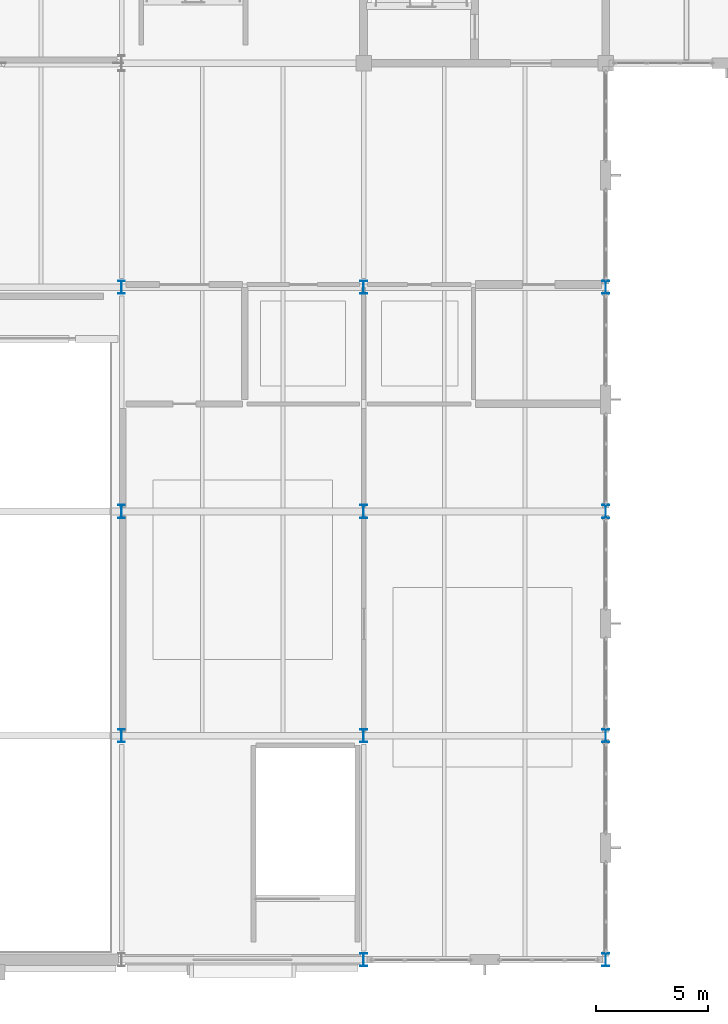
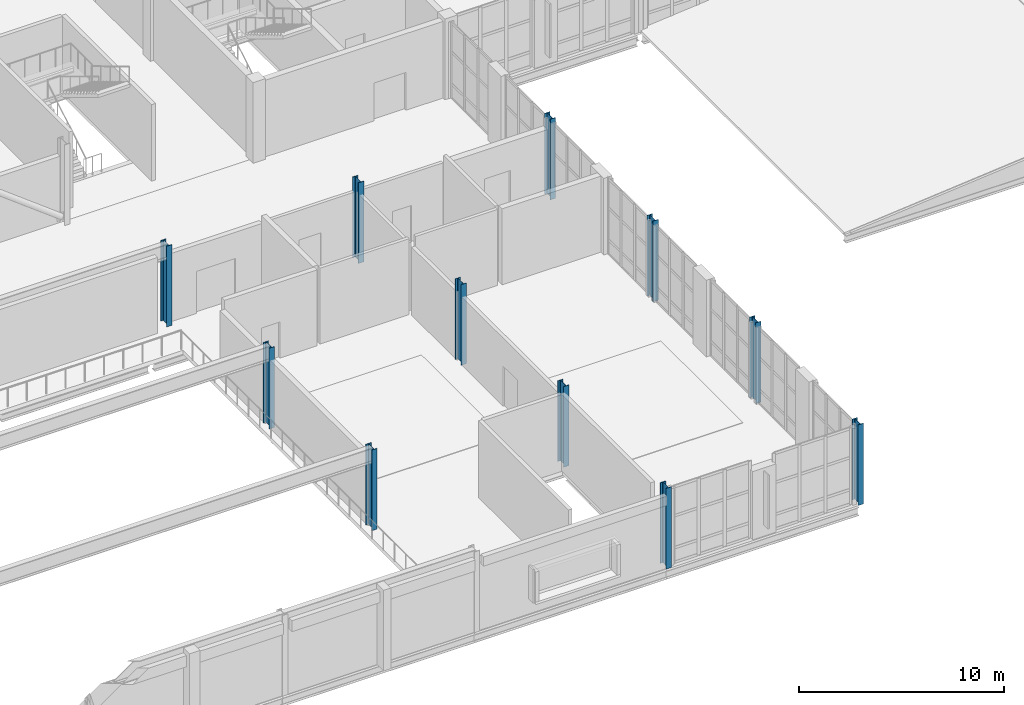
# One storey, part 2 of 92: 11 columns.
"""IFC4 building model written with IfcOpenShell, lengths in metres."""

from ifc_helpers import new_model, si_unit, direction, frame, origin, origin_2d, place, context, subcontext, project, spatial, i_section, extrude, material, material_profile, profile_set, type_object, element, save


model = new_model("IFC4")

# Units and contexts
model_context = context("Model", 3, precision=1e-05, world=origin(), true_north=direction((0.0, 1.0)))
body_context = subcontext(model_context, "Body", "Model", "MODEL_VIEW")
ifc_project = project(units=[si_unit("LENGTHUNIT", "METRE"), si_unit("AREAUNIT", "SQUARE_METRE"), si_unit("VOLUMEUNIT", "CUBIC_METRE"), si_unit("PLANEANGLEUNIT", "RADIAN"), si_unit("MASSUNIT", "GRAM", prefix="KILO")], contexts=[model_context])

# Site, building, storey
site_placement = place(None, origin())
site = spatial("IfcSite", under=ifc_project, at=site_placement, CompositionType="ELEMENT")
building_placement = place(site_placement, origin())
building = spatial("IfcBuilding", under=site, at=building_placement, Name="Tasgan Crest Museum", CompositionType="ELEMENT")
storey_placement = place(building_placement, frame((0.0, 0.0, 4.800048828125)))
storey = spatial("IfcBuildingStorey", under=building, at=storey_placement, Name="L01", CompositionType="ELEMENT", Elevation=4.800048828125)

# Columns
ifc_material = material(Name="Steel S355J2", Category="steel")
ifc_material_profile = material_profile(ifc_material, i_section(OverallWidth=0.300048828125, OverallDepth=0.590087890625, WebThickness=0.012939453125, FlangeThickness=0.02490234375, FilletRadius=0.027099609375, at=origin_2d()), Name="HEA 600")
ifc_profile_set = profile_set([ifc_material_profile], Name="Steel S355J2")
column_type = type_object("IfcColumnType", Name="COL-HEA600", PredefinedType="COLUMN", material=ifc_profile_set)
for number, where, z_axis, x_axis, name in (
    (1, (32.39990234375, 10.0, 0.0), (0.0, 0.0, 1.0), (1.0, 0.0, 0.0), "Column 4/B L01"),
    (2, (32.39990234375, 20.0, 0.0), (0.0, 0.0, 1.0), (1.0, 0.0, 0.0), "Column 4/C L01"),
    (3, (32.39990234375, 30.0, 0.0), (0.0, 0.0, 1.0), (1.0, 0.0, 0.0), "Column 4/D L01"),
    (4, (43.199951171875, 0.0, 0.0), (0.0, 0.0, 1.0), (1.0, 0.0, 0.0), "Column 5/A L01"),
    (5, (43.199951171875, 10.0, 0.0), (0.0, 0.0, 1.0), (1.0, 0.0, 0.0), "Column 5/B L01"),
    (6, (43.199951171875, 20.0, 0.0), (0.0, 0.0, 1.0), (1.0, 0.0, 0.0), "Column 5/C L01"),
    (7, (43.199951171875, 30.0, 0.0), (0.0, 0.0, 1.0), (1.0, 0.0, 0.0), "Column 5/D L01"),
    (8, (54.0, 0.0, 0.0), (0.0, 0.0, 1.0), (1.0, 0.0, 0.0), "Column 6/A L01"),
    (9, (54.0, 10.0, 0.0), (0.0, 0.0, 1.0), (1.0, 0.0, 0.0), "Column 6/B L01"),
    (10, (54.0, 20.0, 0.0), (0.0, 0.0, 1.0), (1.0, 0.0, 0.0), "Column 6/C L01"),
    (11, (54.0, 30.0, 0.0), (0.0, 0.0, 1.0), (1.0, 0.0, 0.0), "Column 6/D L01"),
):
    element("IfcColumn", number, at=place(storey_placement, frame(where, z_axis=z_axis, x_axis=x_axis)), inside=storey, type_object=column_type, Name=name, PredefinedType="COLUMN", context=body_context, shape_type="SweptSolid", body=[
        extrude(i_section(OverallWidth=0.300048828125, OverallDepth=0.590087890625, WebThickness=0.012939453125, FlangeThickness=0.02490234375, FilletRadius=0.027099609375, at=origin_2d()), origin(), (0.0, 0.0, 1.0), 4.800048828125),
    ])

save(model, "model.ifc")
